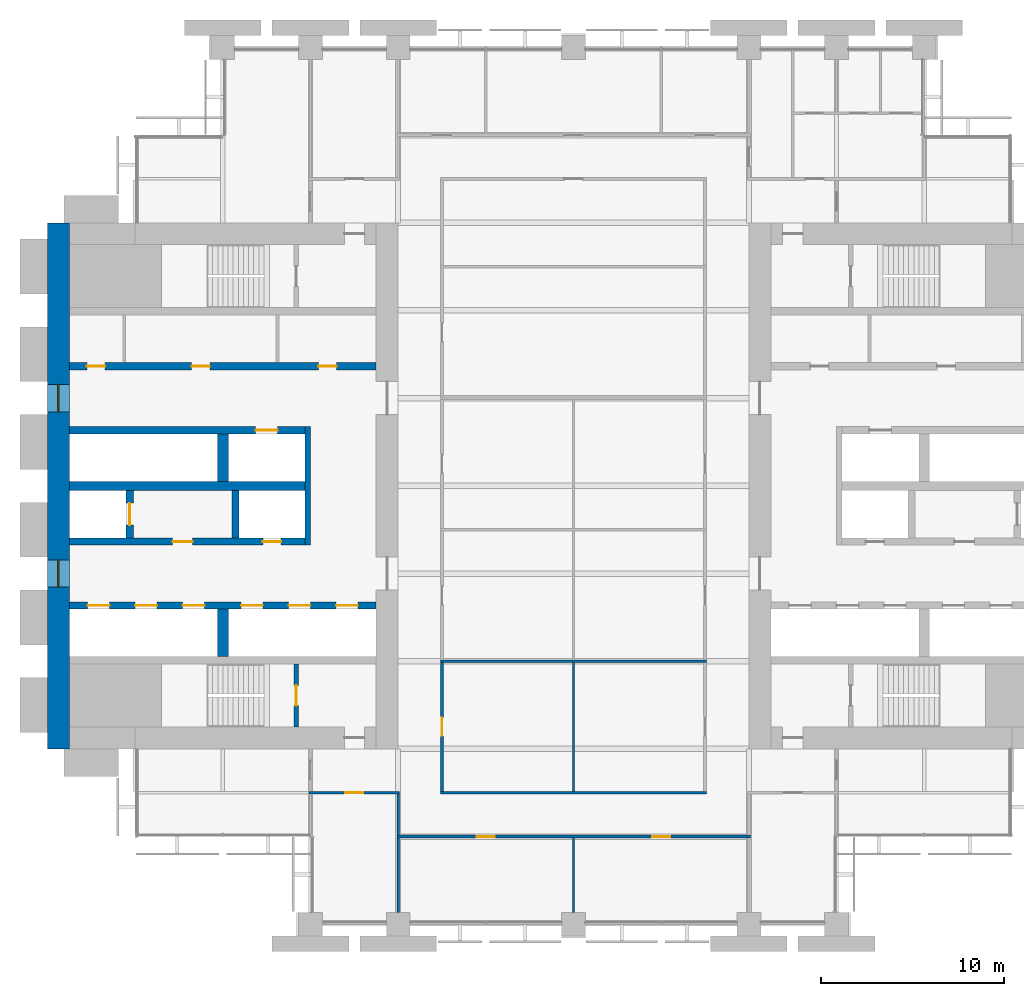
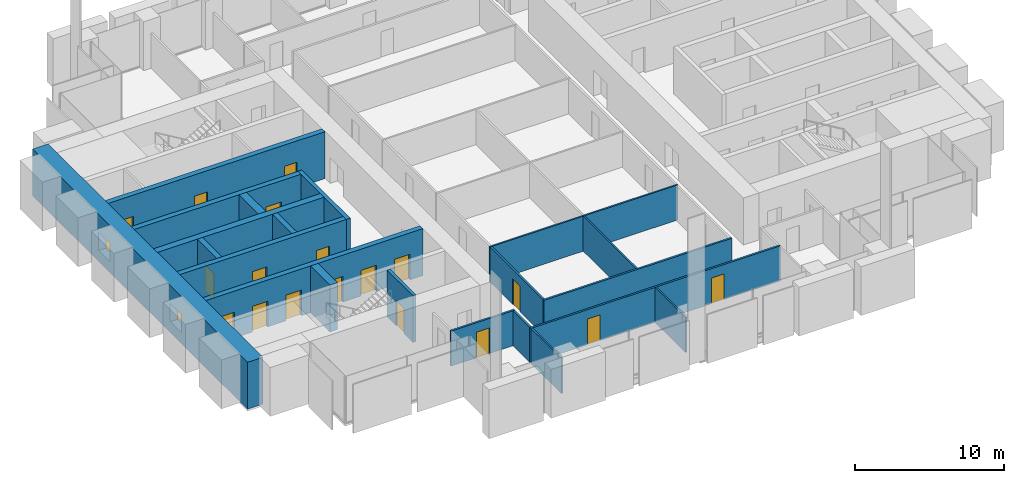
# One storey, part 9 of 14: 21 walls, 18 doors, 2 windows, 20 openings.
"""IFC4 building model written with IfcOpenShell, lengths in metres."""

from ifc_helpers import new_model, si_unit, direction, frame, frame_2d, origin, place, context, subcontext, project, spatial, rectangle, extrude, material, layer, layer_set, type_object, element, fill, save


model = new_model("IFC4")

# Units and contexts
model_context = context("Model", 3, precision=1e-05, world=origin(), true_north=direction((0.0, 1.0)))
body_context = subcontext(model_context, "Body", "Model", "MODEL_VIEW")
ifc_project = project(units=[si_unit("LENGTHUNIT", "METRE"), si_unit("AREAUNIT", "SQUARE_METRE"), si_unit("VOLUMEUNIT", "CUBIC_METRE"), si_unit("PLANEANGLEUNIT", "RADIAN"), si_unit("MASSUNIT", "GRAM", prefix="KILO")], contexts=[model_context])

# Site, building, storey
site_placement = place(None, origin())
site = spatial("IfcSite", under=ifc_project, at=site_placement, CompositionType="ELEMENT")
building_placement = place(site_placement, origin())
building = spatial("IfcBuilding", under=site, at=building_placement, Name="Baori Bourse Tower", CompositionType="ELEMENT")
storey_placement = place(building_placement, frame((0.0, 0.0, 75.0)))
storey = spatial("IfcBuildingStorey", under=building, at=storey_placement, Name="L16", CompositionType="ELEMENT", Elevation=75.0)

# Wall, openings, windows
ifc_material_1 = material(Name="Concrete f'c 70 MPa", Category="concrete")
ifc_layer_1 = layer(ifc_material_1, 1.199951171875)
ifc_layer_set_1 = layer_set([ifc_layer_1], Name="Core wall 1200 f'c 70")
wall_type_1 = type_object("IfcWallType", Name="Core wall 1200 f'c 70", PredefinedType="SHEAR", material=ifc_layer_set_1)
wall_1_placement = place(storey_placement, frame((0.60009765625, 9.60009765625, 0.0), z_axis=(0.0, 0.0, 1.0), x_axis=(0.0, 1.0, 0.0)))
wall_1 = element("IfcWall", 1, at=wall_1_placement, inside=storey, type_object=wall_type_1, Name="Core wall W01", PredefinedType="SHEAR", context=body_context, shape_type="SweptSolid", body=[
    extrude(rectangle(XDim=28.7998046875, YDim=1.199951171875, at=frame_2d((14.39990234375, 0.0))), origin(), (0.0, 0.0, 1.0), 3.840087890625),
])
opening_1_placement = place(wall_1_placement, frame((8.85009765625, 0.0, 0.89990234375)))
opening_1 = element("IfcOpeningElement", 2, at=opening_1_placement, cuts=wall_1, Name="Opening L16-KW101", PredefinedType="OPENING", context=body_context, shape_type="SweptSolid", body=[
    extrude(rectangle(XDim=1.5, YDim=1.5, at=frame_2d((0.75, 0.75))), frame((0.0, 0.60986328125, 0.0), z_axis=(0.0, -1.0, 0.0), x_axis=(1.0, 0.0, 0.0)), (0.0, 0.0, 1.0), 1.219970703125),
])
opening_2_placement = place(wall_1_placement, frame((18.449951171875, 0.0, 0.89990234375)))
opening_2 = element("IfcOpeningElement", 3, at=opening_2_placement, cuts=wall_1, Name="Opening L16-KW102", PredefinedType="OPENING", context=body_context, shape_type="SweptSolid", body=[
    extrude(rectangle(XDim=1.5, YDim=1.5, at=frame_2d((0.75, 0.75))), frame((0.0, 0.60986328125, 0.0), z_axis=(0.0, -1.0, 0.0), x_axis=(1.0, 0.0, 0.0)), (0.0, 0.0, 1.0), 1.219970703125),
])
ifc_material_2 = material(Name="Pale anodised aluminium", Category="aluminium")
window_type = type_object("IfcWindowType", Name="Lobby window 1500 x 1500", PartitioningType="SINGLE_PANEL", PredefinedType="WINDOW", material=ifc_material_2)
window_1_placement = place(opening_1_placement, origin())
window_1 = element("IfcWindow", 4, at=window_1_placement, inside=storey, type_object=window_type, Name="Outer wall window W L16 1", OverallHeight=1.5, OverallWidth=1.5, PartitioningType="SINGLE_PANEL", PredefinedType="WINDOW", context=body_context, shape_type="SweptSolid", body=[
    extrude(rectangle(XDim=1.5, YDim=1.5, at=frame_2d((0.75, 0.75))), frame((0.0, 0.030029296875, 0.0), z_axis=(0.0, -1.0, 0.0), x_axis=(1.0, 0.0, 0.0)), (0.0, 0.0, 1.0), 0.06005859375),
])
fill(opening_1, window_1)
window_2_placement = place(opening_2_placement, origin())
window_2 = element("IfcWindow", 5, at=window_2_placement, inside=storey, type_object=window_type, Name="Outer wall window W L16 2", OverallHeight=1.5, OverallWidth=1.5, PartitioningType="SINGLE_PANEL", PredefinedType="WINDOW", context=body_context, shape_type="SweptSolid", body=[
    extrude(rectangle(XDim=1.5, YDim=1.5, at=frame_2d((0.75, 0.75))), frame((0.0, 0.030029296875, 0.0), z_axis=(0.0, -1.0, 0.0), x_axis=(1.0, 0.0, 0.0)), (0.0, 0.0, 1.0), 0.06005859375),
])
fill(opening_2, window_2)

# Wall, openings, doors
ifc_material_3 = material(Name="Gypsum board partition")
ifc_layer_2 = layer(ifc_material_3, 0.14990234375)
ifc_layer_set_2 = layer_set([ifc_layer_2], Name="Corridor partition 150")
wall_type_2 = type_object("IfcWallType", Name="Corridor partition 150", PredefinedType="PARTITIONING", material=ifc_layer_set_2)
wall_2_placement = place(storey_placement, frame((19.125, 4.800048828125, 0.0), z_axis=(0.0, 0.0, 1.0), x_axis=(1.0, 0.0, 0.0)))
wall_2 = element("IfcWall", 6, at=wall_2_placement, inside=storey, type_object=wall_type_2, Name="Partition", PredefinedType="PARTITIONING", context=body_context, shape_type="SweptSolid", body=[
    extrude(rectangle(XDim=19.35009765625, YDim=0.14990234375, at=frame_2d((9.675048828125, 0.0))), origin(), (0.0, 0.0, 1.0), 2.86962890625),
])
opening_3_placement = place(wall_2_placement, frame((4.375, 0.0, 0.0)))
opening_3 = element("IfcOpeningElement", 7, at=opening_3_placement, cuts=wall_2, Name="Opening L16-D01", PredefinedType="OPENING", context=body_context, shape_type="SweptSolid", body=[
    extrude(rectangle(XDim=1.0, YDim=2.10009765625, at=frame_2d((0.5, 1.050048828125))), frame((0.0, 0.0849609375, 0.0), z_axis=(0.0, -1.0, 0.0), x_axis=(1.0, 0.0, 0.0)), (0.0, 0.0, 1.0), 0.169921875),
])
opening_4_placement = place(wall_2_placement, frame((13.97509765625, 0.0, 0.0)))
opening_4 = element("IfcOpeningElement", 8, at=opening_4_placement, cuts=wall_2, Name="Opening L16-D02", PredefinedType="OPENING", context=body_context, shape_type="SweptSolid", body=[
    extrude(rectangle(XDim=1.0, YDim=2.10009765625, at=frame_2d((0.5, 1.050048828125))), frame((0.0, 0.0849609375, 0.0), z_axis=(0.0, -1.0, 0.0), x_axis=(1.0, 0.0, 0.0)), (0.0, 0.0, 1.0), 0.169921875),
])
ifc_material_4 = material(Name="Timber door leaf", Category="wood")
door_type_1 = type_object("IfcDoorType", Name="Door 1000 x 2100", OperationType="SINGLE_SWING_LEFT", PredefinedType="DOOR", material=ifc_material_4)
door_1_placement = place(opening_3_placement, origin())
door_1 = element("IfcDoor", 9, at=door_1_placement, inside=storey, type_object=door_type_1, Name="Door", OperationType="SINGLE_SWING_LEFT", OverallHeight=2.10009765625, OverallWidth=1.0, PredefinedType="DOOR", context=body_context, shape_type="SweptSolid", body=[
    extrude(rectangle(XDim=1.0, YDim=2.10009765625, at=frame_2d((0.5, 1.050048828125))), frame((0.0, 0.02490234375, 0.0), z_axis=(0.0, -1.0, 0.0), x_axis=(1.0, 0.0, 0.0)), (0.0, 0.0, 1.0), 0.050048828125),
])
fill(opening_3, door_1)
door_2_placement = place(opening_4_placement, origin())
door_2 = element("IfcDoor", 10, at=door_2_placement, inside=storey, type_object=door_type_1, Name="Door", OperationType="SINGLE_SWING_RIGHT", OverallHeight=2.10009765625, OverallWidth=1.0, PredefinedType="DOOR", context=body_context, shape_type="SweptSolid", body=[
    extrude(rectangle(XDim=1.0, YDim=2.10009765625, at=frame_2d((0.5, 1.050048828125))), frame((0.0, 0.02490234375, 0.0), z_axis=(0.0, -1.0, 0.0), x_axis=(1.0, 0.0, 0.0)), (0.0, 0.0, 1.0), 0.050048828125),
])
fill(opening_4, door_2)

# Wall, opening, door
wall_3_placement = place(storey_placement, frame((14.324951171875, 7.199951171875, 0.0), z_axis=(0.0, 0.0, 1.0), x_axis=(1.0, 0.0, 0.0)))
wall_3 = element("IfcWall", 11, at=wall_3_placement, inside=storey, type_object=wall_type_2, Name="Partition", PredefinedType="PARTITIONING", context=body_context, shape_type="SweptSolid", body=[
    extrude(rectangle(XDim=4.949951171875, YDim=0.14990234375, at=frame_2d((2.47509765625, 0.0))), origin(), (0.0, 0.0, 1.0), 2.86962890625),
])
opening_5_placement = place(wall_3_placement, frame((1.97509765625, 0.0, 0.0)))
opening_5 = element("IfcOpeningElement", 12, at=opening_5_placement, cuts=wall_3, Name="Opening L16-D03", PredefinedType="OPENING", context=body_context, shape_type="SweptSolid", body=[
    extrude(rectangle(XDim=1.0, YDim=2.10009765625, at=frame_2d((0.5, 1.050048828125))), frame((0.0, 0.0849609375, 0.0), z_axis=(0.0, -1.0, 0.0), x_axis=(1.0, 0.0, 0.0)), (0.0, 0.0, 1.0), 0.169921875),
])
door_3_placement = place(opening_5_placement, origin())
door_3 = element("IfcDoor", 13, at=door_3_placement, inside=storey, type_object=door_type_1, Name="Door", OperationType="SINGLE_SWING_RIGHT", OverallHeight=2.10009765625, OverallWidth=1.0, PredefinedType="DOOR", context=body_context, shape_type="SweptSolid", body=[
    extrude(rectangle(XDim=1.0, YDim=2.10009765625, at=frame_2d((0.5, 1.050048828125))), frame((0.0, 0.02490234375, 0.0), z_axis=(0.0, -1.0, 0.0), x_axis=(1.0, 0.0, 0.0)), (0.0, 0.0, 1.0), 0.050048828125),
])
fill(opening_5, door_3)

# Walls
wall_4_placement = place(storey_placement, frame((21.52490234375, 7.199951171875, 0.0), z_axis=(0.0, 0.0, 1.0), x_axis=(1.0, 0.0, 0.0)))
element("IfcWall", 14, at=wall_4_placement, inside=storey, type_object=wall_type_2, Name="Partition", PredefinedType="PARTITIONING", context=body_context, shape_type="SweptSolid", body=[
    extrude(rectangle(XDim=14.550048828125, YDim=0.14990234375, at=frame_2d((7.27490234375, 0.0))), origin(), (0.0, 0.0, 1.0), 2.86962890625),
])
wall_5_placement = place(storey_placement, frame((19.199951171875, 4.875, 0.0), z_axis=(0.0, 0.0, 1.0), x_axis=(0.0, 1.0, 0.0)))
element("IfcWall", 15, at=wall_5_placement, inside=storey, type_object=wall_type_2, Name="Partition", PredefinedType="PARTITIONING", context=body_context, shape_type="SweptSolid", body=[
    extrude(rectangle(XDim=2.25, YDim=0.14990234375, at=frame_2d((1.125, 0.0))), origin(), (0.0, 0.0, 1.0), 2.86962890625),
])

# Wall, opening, door
wall_6_placement = place(storey_placement, frame((21.60009765625, 7.27490234375, 0.0), z_axis=(0.0, 0.0, 1.0), x_axis=(0.0, 1.0, 0.0)))
wall_6 = element("IfcWall", 16, at=wall_6_placement, inside=storey, type_object=wall_type_2, Name="Partition", PredefinedType="PARTITIONING", context=body_context, shape_type="SweptSolid", body=[
    extrude(rectangle(XDim=7.0625, YDim=0.14990234375, at=frame_2d((3.53125, 0.0))), origin(), (0.0, 0.0, 1.0), 2.86962890625),
])
opening_6_placement = place(wall_6_placement, frame((3.03125, 0.0, 0.0)))
opening_6 = element("IfcOpeningElement", 17, at=opening_6_placement, cuts=wall_6, Name="Opening L16-D16", PredefinedType="OPENING", context=body_context, shape_type="SweptSolid", body=[
    extrude(rectangle(XDim=1.0, YDim=2.10009765625, at=frame_2d((0.5, 1.050048828125))), frame((0.0, 0.0849609375, 0.0), z_axis=(0.0, -1.0, 0.0), x_axis=(1.0, 0.0, 0.0)), (0.0, 0.0, 1.0), 0.169921875),
])
door_4_placement = place(opening_6_placement, origin())
door_4 = element("IfcDoor", 18, at=door_4_placement, inside=storey, type_object=door_type_1, Name="Door", OperationType="SINGLE_SWING_LEFT", OverallHeight=2.10009765625, OverallWidth=1.0, PredefinedType="DOOR", context=body_context, shape_type="SweptSolid", body=[
    extrude(rectangle(XDim=1.0, YDim=2.10009765625, at=frame_2d((0.5, 1.050048828125))), frame((0.0, 0.02490234375, 0.0), z_axis=(0.0, -1.0, 0.0), x_axis=(1.0, 0.0, 0.0)), (0.0, 0.0, 1.0), 0.050048828125),
])
fill(opening_6, door_4)

# Walls
ifc_material_5 = material(Name="Gypsum board partition")
ifc_layer_3 = layer(ifc_material_5, 0.125)
ifc_layer_set_3 = layer_set([ifc_layer_3], Name="Partition 125")
wall_type_3 = type_object("IfcWallType", Name="Partition 125", PredefinedType="PARTITIONING", material=ifc_layer_set_3)
wall_7_placement = place(storey_placement, frame((21.52490234375, 14.39990234375, 0.0), z_axis=(0.0, 0.0, 1.0), x_axis=(1.0, 0.0, 0.0)))
element("IfcWall", 19, at=wall_7_placement, inside=storey, type_object=wall_type_3, Name="Partition", PredefinedType="PARTITIONING", context=body_context, shape_type="SweptSolid", body=[
    extrude(rectangle(XDim=14.550048828125, YDim=0.125, at=frame_2d((7.27490234375, 0.0))), origin(), (0.0, 0.0, 1.0), 2.86962890625),
])
for number, where, z_axis, x_axis, name in (
    (20, (19.199951171875, 0.64990234375, 0.0), (0.0, 0.0, 1.0), (0.0, 1.0, 0.0), "Partition"),
    (21, (28.800048828125, 0.64990234375, 0.0), (0.0, 0.0, 1.0), (0.0, 1.0, 0.0), "Partition"),
):
    element("IfcWall", number, at=place(storey_placement, frame(where, z_axis=z_axis, x_axis=x_axis)), inside=storey, type_object=wall_type_3, Name=name, PredefinedType="PARTITIONING", context=body_context, shape_type="SweptSolid", body=[
        extrude(rectangle(XDim=4.0751953125, YDim=0.125, at=frame_2d((2.03759765625, 0.0))), origin(), (0.0, 0.0, 1.0), 2.86962890625),
    ])
wall_8_placement = place(storey_placement, frame((28.800048828125, 7.27490234375, 0.0), z_axis=(0.0, 0.0, 1.0), x_axis=(0.0, 1.0, 0.0)))
element("IfcWall", 22, at=wall_8_placement, inside=storey, type_object=wall_type_3, Name="Partition", PredefinedType="PARTITIONING", context=body_context, shape_type="SweptSolid", body=[
    extrude(rectangle(XDim=7.0625, YDim=0.125, at=frame_2d((3.53125, 0.0))), origin(), (0.0, 0.0, 1.0), 2.86962890625),
])

# Wall, opening, door
ifc_material_6 = material(Name="Concrete f'c 70 MPa", Category="concrete")
ifc_layer_4 = layer(ifc_material_6, 0.25)
ifc_layer_set_4 = layer_set([ifc_layer_4], Name="Shaft wall 250 f'c 70")
wall_type_4 = type_object("IfcWallType", Name="Shaft wall 250 f'c 70", PredefinedType="SHEAR", material=ifc_layer_set_4)
wall_9_placement = place(storey_placement, frame((13.625, 10.800048828125, 0.0), z_axis=(0.0, 0.0, 1.0), x_axis=(0.0, 1.0, 0.0)))
wall_9 = element("IfcWall", 23, at=wall_9_placement, inside=storey, type_object=wall_type_4, Name="Core wall W06", PredefinedType="SHEAR", context=body_context, shape_type="SweptSolid", body=[
    extrude(rectangle(XDim=3.449951171875, YDim=0.25, at=frame_2d((1.72509765625, 0.0))), origin(), (0.0, 0.0, 1.0), 3.840087890625),
])
opening_7_placement = place(wall_9_placement, frame((1.175048828125, 0.0, 0.0)))
opening_7 = element("IfcOpeningElement", 24, at=opening_7_placement, cuts=wall_9, Name="Opening L16-D101", PredefinedType="OPENING", context=body_context, shape_type="SweptSolid", body=[
    extrude(rectangle(XDim=1.10009765625, YDim=2.10009765625, at=frame_2d((0.550048828125, 1.050048828125))), frame((0.0, 0.135009765625, 0.0), z_axis=(0.0, -1.0, 0.0), x_axis=(1.0, 0.0, 0.0)), (0.0, 0.0, 1.0), 0.27001953125),
])
ifc_material_7 = material(Name="Painted steel door", Category="steel")
door_type_2 = type_object("IfcDoorType", Name="Stair door 1100", OperationType="SINGLE_SWING_LEFT", PredefinedType="DOOR", material=ifc_material_7)
door_5_placement = place(opening_7_placement, origin())
door_5 = element("IfcDoor", 25, at=door_5_placement, inside=storey, type_object=door_type_2, Name="Stair door A W L16", OperationType="SINGLE_SWING_LEFT", OverallHeight=2.10009765625, OverallWidth=1.10009765625, PredefinedType="DOOR", context=body_context, shape_type="SweptSolid", body=[
    extrude(rectangle(XDim=1.10009765625, YDim=2.10009765625, at=frame_2d((0.550048828125, 1.050048828125))), frame((0.0, 0.02490234375, 0.0), z_axis=(0.0, -1.0, 0.0), x_axis=(1.0, 0.0, 0.0)), (0.0, 0.0, 1.0), 0.050048828125),
])
fill(opening_7, door_5)

# Wall
ifc_material_8 = material(Name="Concrete f'c 70 MPa", Category="concrete")
ifc_layer_5 = layer(ifc_material_8, 0.300048828125)
ifc_layer_set_5 = layer_set([ifc_layer_5], Name="Shaft wall 300 f'c 70")
wall_type_5 = type_object("IfcWallType", Name="Shaft wall 300 f'c 70", PredefinedType="SHEAR", material=ifc_layer_set_5)
wall_10_placement = place(storey_placement, frame((14.25, 20.75, 0.0), z_axis=(0.0, 0.0, 1.0), x_axis=(0.0, 1.0, 0.0)))
element("IfcWall", 26, at=wall_10_placement, inside=storey, type_object=wall_type_5, Name="Core wall W11", PredefinedType="SHEAR", context=body_context, shape_type="SweptSolid", body=[
    extrude(rectangle(XDim=6.5, YDim=0.300048828125, at=frame_2d((3.25, 0.0))), origin(), (0.0, 0.0, 1.0), 3.840087890625),
])

# Wall, openings, doors
ifc_material_9 = material(Name="Concrete f'c 70 MPa", Category="concrete")
ifc_layer_6 = layer(ifc_material_9, 0.39990234375)
ifc_layer_set_6 = layer_set([ifc_layer_6], Name="Shaft wall 400 f'c 70")
wall_type_6 = type_object("IfcWallType", Name="Shaft wall 400 f'c 70", PredefinedType="SHEAR", material=ifc_layer_set_6)
wall_11_placement = place(storey_placement, frame((1.199951171875, 17.449951171875, 0.0), z_axis=(0.0, 0.0, 1.0), x_axis=(1.0, 0.0, 0.0)))
wall_11 = element("IfcWall", 27, at=wall_11_placement, inside=storey, type_object=wall_type_6, Name="Core wall W09", PredefinedType="SHEAR", context=body_context, shape_type="SweptSolid", body=[
    extrude(rectangle(XDim=16.800048828125, YDim=0.39990234375, at=frame_2d((8.39990234375, 0.0))), origin(), (0.0, 0.0, 1.0), 3.840087890625),
])
opening_8_placement = place(wall_11_placement, frame((1.0, 0.0, 0.0)))
opening_8 = element("IfcOpeningElement", 28, at=opening_8_placement, cuts=wall_11, Name="Opening L16-D112", PredefinedType="OPENING", context=body_context, shape_type="SweptSolid", body=[
    extrude(rectangle(XDim=1.199951171875, YDim=2.10009765625, at=frame_2d((0.60009765625, 1.050048828125))), frame((0.0, 0.2099609375, 0.0), z_axis=(0.0, -1.0, 0.0), x_axis=(1.0, 0.0, 0.0)), (0.0, 0.0, 1.0), 0.419921875),
])
opening_9_placement = place(wall_11_placement, frame((3.60009765625, 0.0, 0.0)))
opening_9 = element("IfcOpeningElement", 29, at=opening_9_placement, cuts=wall_11, Name="Opening L16-D113", PredefinedType="OPENING", context=body_context, shape_type="SweptSolid", body=[
    extrude(rectangle(XDim=1.199951171875, YDim=2.10009765625, at=frame_2d((0.60009765625, 1.050048828125))), frame((0.0, 0.2099609375, 0.0), z_axis=(0.0, -1.0, 0.0), x_axis=(1.0, 0.0, 0.0)), (0.0, 0.0, 1.0), 0.419921875),
])
opening_10_placement = place(wall_11_placement, frame((6.199951171875, 0.0, 0.0)))
opening_10 = element("IfcOpeningElement", 30, at=opening_10_placement, cuts=wall_11, Name="Opening L16-D114", PredefinedType="OPENING", context=body_context, shape_type="SweptSolid", body=[
    extrude(rectangle(XDim=1.199951171875, YDim=2.10009765625, at=frame_2d((0.60009765625, 1.050048828125))), frame((0.0, 0.2099609375, 0.0), z_axis=(0.0, -1.0, 0.0), x_axis=(1.0, 0.0, 0.0)), (0.0, 0.0, 1.0), 0.419921875),
])
opening_11_placement = place(wall_11_placement, frame((9.39990234375, 0.0, 0.0)))
opening_11 = element("IfcOpeningElement", 31, at=opening_11_placement, cuts=wall_11, Name="Opening L16-D115", PredefinedType="OPENING", context=body_context, shape_type="SweptSolid", body=[
    extrude(rectangle(XDim=1.199951171875, YDim=2.10009765625, at=frame_2d((0.60009765625, 1.050048828125))), frame((0.0, 0.2099609375, 0.0), z_axis=(0.0, -1.0, 0.0), x_axis=(1.0, 0.0, 0.0)), (0.0, 0.0, 1.0), 0.419921875),
])
opening_12_placement = place(wall_11_placement, frame((12.0, 0.0, 0.0)))
opening_12 = element("IfcOpeningElement", 32, at=opening_12_placement, cuts=wall_11, Name="Opening L16-D116", PredefinedType="OPENING", context=body_context, shape_type="SweptSolid", body=[
    extrude(rectangle(XDim=1.199951171875, YDim=2.10009765625, at=frame_2d((0.60009765625, 1.050048828125))), frame((0.0, 0.2099609375, 0.0), z_axis=(0.0, -1.0, 0.0), x_axis=(1.0, 0.0, 0.0)), (0.0, 0.0, 1.0), 0.419921875),
])
opening_13_placement = place(wall_11_placement, frame((14.60009765625, 0.0, 0.0)))
opening_13 = element("IfcOpeningElement", 33, at=opening_13_placement, cuts=wall_11, Name="Opening L16-D117", PredefinedType="OPENING", context=body_context, shape_type="SweptSolid", body=[
    extrude(rectangle(XDim=1.199951171875, YDim=2.10009765625, at=frame_2d((0.60009765625, 1.050048828125))), frame((0.0, 0.2099609375, 0.0), z_axis=(0.0, -1.0, 0.0), x_axis=(1.0, 0.0, 0.0)), (0.0, 0.0, 1.0), 0.419921875),
])
ifc_material_10 = material(Name="Stainless steel door", Category="steel")
door_type_3 = type_object("IfcDoorType", Name="Lift landing door", OperationType="DOUBLE_DOOR_SLIDING", PredefinedType="DOOR", material=ifc_material_10)
door_6_placement = place(opening_8_placement, origin())
door_6 = element("IfcDoor", 34, at=door_6_placement, inside=storey, type_object=door_type_3, Name="Lift landing door LR1 W L16", OperationType="DOUBLE_DOOR_SLIDING", OverallHeight=2.10009765625, OverallWidth=1.199951171875, PredefinedType="DOOR", context=body_context, shape_type="SweptSolid", body=[
    extrude(rectangle(XDim=1.199951171875, YDim=2.10009765625, at=frame_2d((0.60009765625, 1.050048828125))), frame((0.0, 0.02490234375, 0.0), z_axis=(0.0, -1.0, 0.0), x_axis=(1.0, 0.0, 0.0)), (0.0, 0.0, 1.0), 0.050048828125),
])
fill(opening_8, door_6)
door_7_placement = place(opening_9_placement, origin())
door_7 = element("IfcDoor", 35, at=door_7_placement, inside=storey, type_object=door_type_3, Name="Lift landing door LR2 W L16", OperationType="DOUBLE_DOOR_SLIDING", OverallHeight=2.10009765625, OverallWidth=1.199951171875, PredefinedType="DOOR", context=body_context, shape_type="SweptSolid", body=[
    extrude(rectangle(XDim=1.199951171875, YDim=2.10009765625, at=frame_2d((0.60009765625, 1.050048828125))), frame((0.0, 0.02490234375, 0.0), z_axis=(0.0, -1.0, 0.0), x_axis=(1.0, 0.0, 0.0)), (0.0, 0.0, 1.0), 0.050048828125),
])
fill(opening_9, door_7)
door_8_placement = place(opening_10_placement, origin())
door_8 = element("IfcDoor", 36, at=door_8_placement, inside=storey, type_object=door_type_3, Name="Lift landing door LR3 W L16", OperationType="DOUBLE_DOOR_SLIDING", OverallHeight=2.10009765625, OverallWidth=1.199951171875, PredefinedType="DOOR", context=body_context, shape_type="SweptSolid", body=[
    extrude(rectangle(XDim=1.199951171875, YDim=2.10009765625, at=frame_2d((0.60009765625, 1.050048828125))), frame((0.0, 0.02490234375, 0.0), z_axis=(0.0, -1.0, 0.0), x_axis=(1.0, 0.0, 0.0)), (0.0, 0.0, 1.0), 0.050048828125),
])
fill(opening_10, door_8)
door_9_placement = place(opening_11_placement, origin())
door_9 = element("IfcDoor", 37, at=door_9_placement, inside=storey, type_object=door_type_3, Name="Lift landing door LR4 W L16", OperationType="DOUBLE_DOOR_SLIDING", OverallHeight=2.10009765625, OverallWidth=1.199951171875, PredefinedType="DOOR", context=body_context, shape_type="SweptSolid", body=[
    extrude(rectangle(XDim=1.199951171875, YDim=2.10009765625, at=frame_2d((0.60009765625, 1.050048828125))), frame((0.0, 0.02490234375, 0.0), z_axis=(0.0, -1.0, 0.0), x_axis=(1.0, 0.0, 0.0)), (0.0, 0.0, 1.0), 0.050048828125),
])
fill(opening_11, door_9)
door_10_placement = place(opening_12_placement, origin())
door_10 = element("IfcDoor", 38, at=door_10_placement, inside=storey, type_object=door_type_3, Name="Lift landing door LR5 W L16", OperationType="DOUBLE_DOOR_SLIDING", OverallHeight=2.10009765625, OverallWidth=1.199951171875, PredefinedType="DOOR", context=body_context, shape_type="SweptSolid", body=[
    extrude(rectangle(XDim=1.199951171875, YDim=2.10009765625, at=frame_2d((0.60009765625, 1.050048828125))), frame((0.0, 0.02490234375, 0.0), z_axis=(0.0, -1.0, 0.0), x_axis=(1.0, 0.0, 0.0)), (0.0, 0.0, 1.0), 0.050048828125),
])
fill(opening_12, door_10)
door_11_placement = place(opening_13_placement, origin())
door_11 = element("IfcDoor", 39, at=door_11_placement, inside=storey, type_object=door_type_3, Name="Lift landing door LR6 W L16", OperationType="DOUBLE_DOOR_SLIDING", OverallHeight=2.10009765625, OverallWidth=1.199951171875, PredefinedType="DOOR", context=body_context, shape_type="SweptSolid", body=[
    extrude(rectangle(XDim=1.199951171875, YDim=2.10009765625, at=frame_2d((0.60009765625, 1.050048828125))), frame((0.0, 0.02490234375, 0.0), z_axis=(0.0, -1.0, 0.0), x_axis=(1.0, 0.0, 0.0)), (0.0, 0.0, 1.0), 0.050048828125),
])
fill(opening_13, door_11)

wall_12_placement = place(storey_placement, frame((1.199951171875, 20.949951171875, 0.0), z_axis=(0.0, 0.0, 1.0), x_axis=(1.0, 0.0, 0.0)))
wall_12 = element("IfcWall", 40, at=wall_12_placement, inside=storey, type_object=wall_type_6, Name="Core wall W10", PredefinedType="SHEAR", context=body_context, shape_type="SweptSolid", body=[
    extrude(rectangle(XDim=12.900146484375, YDim=0.39990234375, at=frame_2d((6.4501953125, 0.0))), origin(), (0.0, 0.0, 1.0), 3.840087890625),
])
opening_14_placement = place(wall_12_placement, frame((5.64990234375, 0.0, 0.0)))
opening_14 = element("IfcOpeningElement", 41, at=opening_14_placement, cuts=wall_12, Name="Opening L16-D105", PredefinedType="OPENING", context=body_context, shape_type="SweptSolid", body=[
    extrude(rectangle(XDim=1.10009765625, YDim=2.10009765625, at=frame_2d((0.550048828125, 1.050048828125))), frame((0.0, 0.2099609375, 0.0), z_axis=(0.0, -1.0, 0.0), x_axis=(1.0, 0.0, 0.0)), (0.0, 0.0, 1.0), 0.419921875),
])
opening_15_placement = place(wall_12_placement, frame((10.60009765625, 0.0, 0.0)))
opening_15 = element("IfcOpeningElement", 42, at=opening_15_placement, cuts=wall_12, Name="Opening L16-D106", PredefinedType="OPENING", context=body_context, shape_type="SweptSolid", body=[
    extrude(rectangle(XDim=1.0, YDim=2.10009765625, at=frame_2d((0.5, 1.050048828125))), frame((0.0, 0.2099609375, 0.0), z_axis=(0.0, -1.0, 0.0), x_axis=(1.0, 0.0, 0.0)), (0.0, 0.0, 1.0), 0.419921875),
])
ifc_material_11 = material(Name="Painted steel door", Category="steel")
door_type_4 = type_object("IfcDoorType", Name="Lobby door 1100", OperationType="SINGLE_SWING_LEFT", PredefinedType="DOOR", material=ifc_material_11)
door_12_placement = place(opening_14_placement, origin())
door_12 = element("IfcDoor", 43, at=door_12_placement, inside=storey, type_object=door_type_4, Name="Firefighting lobby door W L16", OperationType="SINGLE_SWING_LEFT", OverallHeight=2.10009765625, OverallWidth=1.10009765625, PredefinedType="DOOR", context=body_context, shape_type="SweptSolid", body=[
    extrude(rectangle(XDim=1.10009765625, YDim=2.10009765625, at=frame_2d((0.550048828125, 1.050048828125))), frame((0.0, 0.02490234375, 0.0), z_axis=(0.0, -1.0, 0.0), x_axis=(1.0, 0.0, 0.0)), (0.0, 0.0, 1.0), 0.050048828125),
])
fill(opening_14, door_12)
ifc_material_12 = material(Name="Painted steel door", Category="steel")
door_type_5 = type_object("IfcDoorType", Name="Shaft door 1000", OperationType="SINGLE_SWING_LEFT", PredefinedType="DOOR", material=ifc_material_12)
door_13_placement = place(opening_15_placement, origin())
door_13 = element("IfcDoor", 44, at=door_13_placement, inside=storey, type_object=door_type_5, Name="Riser room door W L16", OperationType="SINGLE_SWING_LEFT", OverallHeight=2.10009765625, OverallWidth=1.0, PredefinedType="DOOR", context=body_context, shape_type="SweptSolid", body=[
    extrude(rectangle(XDim=1.0, YDim=2.10009765625, at=frame_2d((0.5, 1.050048828125))), frame((0.0, 0.02490234375, 0.0), z_axis=(0.0, -1.0, 0.0), x_axis=(1.0, 0.0, 0.0)), (0.0, 0.0, 1.0), 0.050048828125),
])
fill(opening_15, door_13)

# Wall, opening, door
wall_13_placement = place(storey_placement, frame((4.5, 21.14990234375, 0.0), z_axis=(0.0, 0.0, 1.0), x_axis=(0.0, 1.0, 0.0)))
wall_13 = element("IfcWall", 45, at=wall_13_placement, inside=storey, type_object=wall_type_6, Name="Core wall W12", PredefinedType="SHEAR", context=body_context, shape_type="SweptSolid", body=[
    extrude(rectangle(XDim=2.60009765625, YDim=0.39990234375, at=frame_2d((1.300048828125, 0.0))), origin(), (0.0, 0.0, 1.0), 3.840087890625),
])
opening_16_placement = place(wall_13_placement, frame((0.699951171875, 0.0, 0.0)))
opening_16 = element("IfcOpeningElement", 46, at=opening_16_placement, cuts=wall_13, Name="Opening L16-D119", PredefinedType="OPENING", context=body_context, shape_type="SweptSolid", body=[
    extrude(rectangle(XDim=1.199951171875, YDim=2.10009765625, at=frame_2d((0.60009765625, 1.050048828125))), frame((0.0, 0.2099609375, 0.0), z_axis=(0.0, -1.0, 0.0), x_axis=(1.0, 0.0, 0.0)), (0.0, 0.0, 1.0), 0.419921875),
])
door_14_placement = place(opening_16_placement, origin())
door_14 = element("IfcDoor", 47, at=door_14_placement, inside=storey, type_object=door_type_3, Name="Lift landing door FF1 W L16", OperationType="DOUBLE_DOOR_SLIDING", OverallHeight=2.10009765625, OverallWidth=1.199951171875, PredefinedType="DOOR", context=body_context, shape_type="SweptSolid", body=[
    extrude(rectangle(XDim=1.199951171875, YDim=2.10009765625, at=frame_2d((0.60009765625, 1.050048828125))), frame((0.0, 0.02490234375, 0.0), z_axis=(0.0, -1.0, 0.0), x_axis=(1.0, 0.0, 0.0)), (0.0, 0.0, 1.0), 0.050048828125),
])
fill(opening_16, door_14)

# Wall
wall_14_placement = place(storey_placement, frame((10.300048828125, 21.14990234375, 0.0), z_axis=(0.0, 0.0, 1.0), x_axis=(0.0, 1.0, 0.0)))
element("IfcWall", 48, at=wall_14_placement, inside=storey, type_object=wall_type_6, Name="Core wall W13", PredefinedType="SHEAR", context=body_context, shape_type="SweptSolid", body=[
    extrude(rectangle(XDim=2.60009765625, YDim=0.39990234375, at=frame_2d((1.300048828125, 0.0))), origin(), (0.0, 0.0, 1.0), 3.840087890625),
])

# Wall, opening, door
wall_15_placement = place(storey_placement, frame((1.199951171875, 27.050048828125, 0.0), z_axis=(0.0, 0.0, 1.0), x_axis=(1.0, 0.0, 0.0)))
wall_15 = element("IfcWall", 49, at=wall_15_placement, inside=storey, type_object=wall_type_6, Name="Core wall W16", PredefinedType="SHEAR", context=body_context, shape_type="SweptSolid", body=[
    extrude(rectangle(XDim=12.900146484375, YDim=0.39990234375, at=frame_2d((6.4501953125, 0.0))), origin(), (0.0, 0.0, 1.0), 3.840087890625),
])
opening_17_placement = place(wall_15_placement, frame((10.199951171875, 0.0, 0.0)))
opening_17 = element("IfcOpeningElement", 50, at=opening_17_placement, cuts=wall_15, Name="Opening L16-D118", PredefinedType="OPENING", context=body_context, shape_type="SweptSolid", body=[
    extrude(rectangle(XDim=1.199951171875, YDim=2.10009765625, at=frame_2d((0.60009765625, 1.050048828125))), frame((0.0, 0.2099609375, 0.0), z_axis=(0.0, -1.0, 0.0), x_axis=(1.0, 0.0, 0.0)), (0.0, 0.0, 1.0), 0.419921875),
])
door_15_placement = place(opening_17_placement, origin())
door_15 = element("IfcDoor", 51, at=door_15_placement, inside=storey, type_object=door_type_3, Name="Lift landing door SV1 W L16", OperationType="DOUBLE_DOOR_SLIDING", OverallHeight=2.10009765625, OverallWidth=1.199951171875, PredefinedType="DOOR", context=body_context, shape_type="SweptSolid", body=[
    extrude(rectangle(XDim=1.199951171875, YDim=2.10009765625, at=frame_2d((0.60009765625, 1.050048828125))), frame((0.0, 0.02490234375, 0.0), z_axis=(0.0, -1.0, 0.0), x_axis=(1.0, 0.0, 0.0)), (0.0, 0.0, 1.0), 0.050048828125),
])
fill(opening_17, door_15)

# Wall, openings, doors
wall_16_placement = place(storey_placement, frame((1.199951171875, 30.550048828125, 0.0), z_axis=(0.0, 0.0, 1.0), x_axis=(1.0, 0.0, 0.0)))
wall_16 = element("IfcWall", 52, at=wall_16_placement, inside=storey, type_object=wall_type_6, Name="Core wall W17", PredefinedType="SHEAR", context=body_context, shape_type="SweptSolid", body=[
    extrude(rectangle(XDim=16.800048828125, YDim=0.39990234375, at=frame_2d((8.39990234375, 0.0))), origin(), (0.0, 0.0, 1.0), 3.840087890625),
])
opening_18_placement = place(wall_16_placement, frame((0.96240234375, 0.0, 0.0)))
opening_18 = element("IfcOpeningElement", 53, at=opening_18_placement, cuts=wall_16, Name="Opening L16-D109", PredefinedType="OPENING", context=body_context, shape_type="SweptSolid", body=[
    extrude(rectangle(XDim=1.0, YDim=2.10009765625, at=frame_2d((0.5, 1.050048828125))), frame((0.0, 0.2099609375, 0.0), z_axis=(0.0, -1.0, 0.0), x_axis=(1.0, 0.0, 0.0)), (0.0, 0.0, 1.0), 0.419921875),
])
opening_19_placement = place(wall_16_placement, frame((6.699951171875, 0.0, 0.0)))
opening_19 = element("IfcOpeningElement", 54, at=opening_19_placement, cuts=wall_16, Name="Opening L16-D110", PredefinedType="OPENING", context=body_context, shape_type="SweptSolid", body=[
    extrude(rectangle(XDim=1.0, YDim=2.10009765625, at=frame_2d((0.5, 1.050048828125))), frame((0.0, 0.2099609375, 0.0), z_axis=(0.0, -1.0, 0.0), x_axis=(1.0, 0.0, 0.0)), (0.0, 0.0, 1.0), 0.419921875),
])
opening_20_placement = place(wall_16_placement, frame((13.637451171875, 0.0, 0.0)))
opening_20 = element("IfcOpeningElement", 55, at=opening_20_placement, cuts=wall_16, Name="Opening L16-D111", PredefinedType="OPENING", context=body_context, shape_type="SweptSolid", body=[
    extrude(rectangle(XDim=1.0, YDim=2.10009765625, at=frame_2d((0.5, 1.050048828125))), frame((0.0, 0.2099609375, 0.0), z_axis=(0.0, -1.0, 0.0), x_axis=(1.0, 0.0, 0.0)), (0.0, 0.0, 1.0), 0.419921875),
])
ifc_material_13 = material(Name="Painted steel door", Category="steel")
door_type_6 = type_object("IfcDoorType", Name="Core door 1000", OperationType="SINGLE_SWING_LEFT", PredefinedType="DOOR", material=ifc_material_13)
door_16_placement = place(opening_18_placement, origin())
door_16 = element("IfcDoor", 56, at=door_16_placement, inside=storey, type_object=door_type_6, Name="Accessible Wc door W L16", OperationType="SINGLE_SWING_LEFT", OverallHeight=2.10009765625, OverallWidth=1.0, PredefinedType="DOOR", context=body_context, shape_type="SweptSolid", body=[
    extrude(rectangle(XDim=1.0, YDim=2.10009765625, at=frame_2d((0.5, 1.050048828125))), frame((0.0, 0.02490234375, 0.0), z_axis=(0.0, -1.0, 0.0), x_axis=(1.0, 0.0, 0.0)), (0.0, 0.0, 1.0), 0.050048828125),
])
fill(opening_18, door_16)
door_17_placement = place(opening_19_placement, origin())
door_17 = element("IfcDoor", 57, at=door_17_placement, inside=storey, type_object=door_type_6, Name="Men'S Wc door W L16", OperationType="SINGLE_SWING_LEFT", OverallHeight=2.10009765625, OverallWidth=1.0, PredefinedType="DOOR", context=body_context, shape_type="SweptSolid", body=[
    extrude(rectangle(XDim=1.0, YDim=2.10009765625, at=frame_2d((0.5, 1.050048828125))), frame((0.0, 0.02490234375, 0.0), z_axis=(0.0, -1.0, 0.0), x_axis=(1.0, 0.0, 0.0)), (0.0, 0.0, 1.0), 0.050048828125),
])
fill(opening_19, door_17)
door_18_placement = place(opening_20_placement, origin())
door_18 = element("IfcDoor", 58, at=door_18_placement, inside=storey, type_object=door_type_6, Name="Women'S Wc door W L16", OperationType="SINGLE_SWING_LEFT", OverallHeight=2.10009765625, OverallWidth=1.0, PredefinedType="DOOR", context=body_context, shape_type="SweptSolid", body=[
    extrude(rectangle(XDim=1.0, YDim=2.10009765625, at=frame_2d((0.5, 1.050048828125))), frame((0.0, 0.02490234375, 0.0), z_axis=(0.0, -1.0, 0.0), x_axis=(1.0, 0.0, 0.0)), (0.0, 0.0, 1.0), 0.050048828125),
])
fill(opening_20, door_18)

# Walls
ifc_material_14 = material(Name="Concrete f'c 70 MPa", Category="concrete")
ifc_layer_7 = layer(ifc_material_14, 0.5)
ifc_layer_set_7 = layer_set([ifc_layer_7], Name="Shaft wall 500 f'c 70")
wall_type_7 = type_object("IfcWallType", Name="Shaft wall 500 f'c 70", PredefinedType="SHEAR", material=ifc_layer_set_7)
wall_17_placement = place(storey_placement, frame((1.199951171875, 24.0, 0.0), z_axis=(0.0, 0.0, 1.0), x_axis=(1.0, 0.0, 0.0)))
element("IfcWall", 59, at=wall_17_placement, inside=storey, type_object=wall_type_7, Name="Core wall W14", PredefinedType="SHEAR", context=body_context, shape_type="SweptSolid", body=[
    extrude(rectangle(XDim=12.900146484375, YDim=0.5, at=frame_2d((6.4501953125, 0.0))), origin(), (0.0, 0.0, 1.0), 3.840087890625),
])
ifc_material_15 = material(Name="Concrete f'c 70 MPa", Category="concrete")
ifc_layer_8 = layer(ifc_material_15, 0.60009765625)
ifc_layer_set_8 = layer_set([ifc_layer_8], Name="Shaft wall 600 f'c 70")
wall_type_8 = type_object("IfcWallType", Name="Shaft wall 600 f'c 70", PredefinedType="SHEAR", material=ifc_layer_set_8)
for number, where, z_axis, x_axis, name in (
    (60, (9.60009765625, 14.64990234375, 0.0), (0.0, 0.0, 1.0), (0.0, 1.0, 0.0), "Core wall W08"),
    (61, (9.60009765625, 24.25, 0.0), (0.0, 0.0, 1.0), (0.0, 1.0, 0.0), "Core wall W15"),
):
    element("IfcWall", number, at=place(storey_placement, frame(where, z_axis=z_axis, x_axis=x_axis)), inside=storey, type_object=wall_type_8, Name=name, PredefinedType="SHEAR", context=body_context, shape_type="SweptSolid", body=[
        extrude(rectangle(XDim=2.60009765625, YDim=0.60009765625, at=frame_2d((1.300048828125, 0.0))), origin(), (0.0, 0.0, 1.0), 3.840087890625),
    ])

save(model, "model.ifc")
